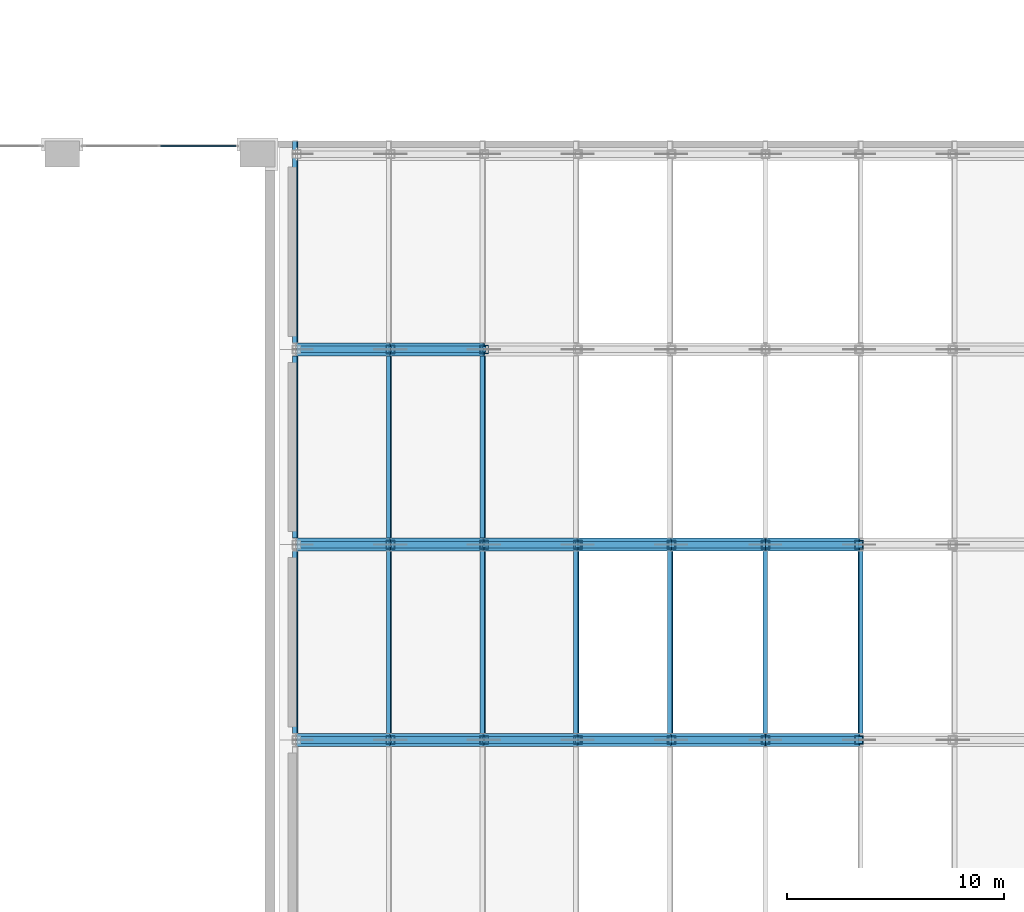
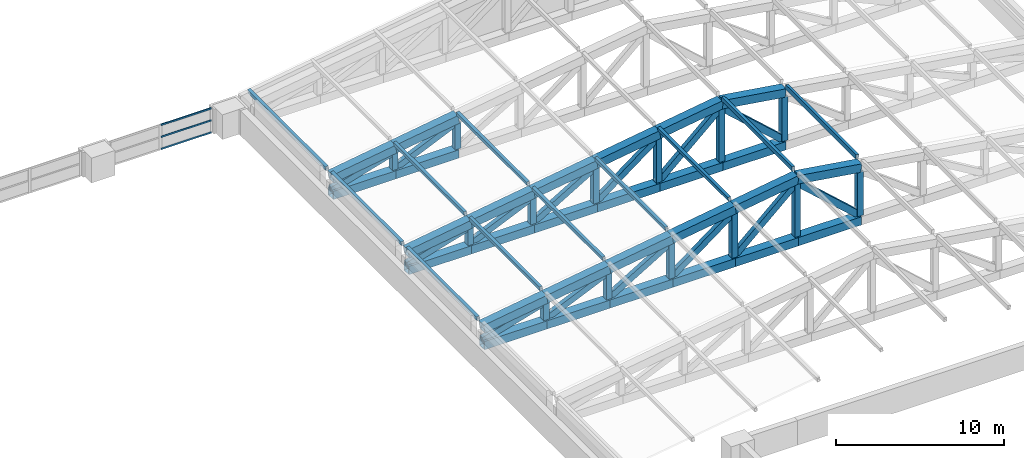
# One storey, part 11 of 32: 70 members, 1 element without a shape of its own.
"""IFC4 building model written with IfcOpenShell, lengths in metres."""

from ifc_helpers import new_model, si_unit, direction, frame, origin, origin_2d, place, context, subcontext, project, spatial, rectangle, hollow_rectangle, extrude, material, material_profile, profile_set, type_object, element, aggregate, save


model = new_model("IFC4")

# Units and contexts
model_context = context("Model", 3, precision=1e-05, world=origin(), true_north=direction((0.0, 1.0)))
body_context = subcontext(model_context, "Body", "Model", "MODEL_VIEW")
ifc_project = project(units=[si_unit("LENGTHUNIT", "METRE"), si_unit("AREAUNIT", "SQUARE_METRE"), si_unit("VOLUMEUNIT", "CUBIC_METRE"), si_unit("PLANEANGLEUNIT", "RADIAN"), si_unit("MASSUNIT", "GRAM", prefix="KILO")], contexts=[model_context])

# Site, building, storey
site_placement = place(None, origin())
site = spatial("IfcSite", under=ifc_project, at=site_placement, CompositionType="ELEMENT")
building_placement = place(site_placement, origin())
building = spatial("IfcBuilding", under=site, at=building_placement, Name="Aravalli Gate Trade Fair Centre", CompositionType="ELEMENT")
storey_placement = place(building_placement, frame((0.0, 0.0, 23.39990234375)))
storey = spatial("IfcBuildingStorey", under=building, at=storey_placement, Name="ROOF LEVEL 1", CompositionType="ELEMENT", Elevation=23.39990234375)

# Members
ifc_material_1 = material(Name="Steel E350", Category="steel")
ifc_material_profile_1 = material_profile(ifc_material_1, hollow_rectangle(XDim=0.199951171875, YDim=0.300048828125, WallThickness=0.011962890625, at=origin_2d()), Name="RHS 300x200x12")
ifc_profile_set_1 = profile_set([ifc_material_profile_1], Name="Steel E350")
member_type_1 = type_object("IfcMemberType", Name="Congress roof purlin RHS 300x200x12", PredefinedType="PURLIN", material=ifc_profile_set_1)
for number, where, z_axis, x_axis, name in (
    (1, (106.73193359375, 82.300048828125, 1.94482421875), (0.0, 1.0, 0.0), (-0.988529762953, 0.0, -0.151026182356), "Roof purlin line 1 bay 3"),
    (2, (106.73193359375, 91.300048828125, 1.94482421875), (0.0, 1.0, 0.0), (-0.988529762953, 0.0, -0.151026182356), "Roof purlin line 1 bay 4"),
):
    element("IfcMember", number, at=place(storey_placement, frame(where, z_axis=z_axis, x_axis=x_axis)), inside=storey, type_object=member_type_1, Name=name, PredefinedType="PURLIN", context=body_context, shape_type="SweptSolid", body=[
        extrude(hollow_rectangle(XDim=0.199951171875, YDim=0.300048828125, WallThickness=0.011962890625, at=origin_2d()), origin(), (0.0, 0.0, 1.0), 8.39990234375),
    ])
member_1_placement = place(storey_placement, frame((106.73193359375, 100.300048828125, 1.94482421875), z_axis=(0.0, 1.0, 0.0), x_axis=(-0.988529762953, 0.0, -0.151026182356)))
element("IfcMember", 3, at=member_1_placement, inside=storey, type_object=member_type_1, Name="Roof purlin line 1 bay 5", PredefinedType="PURLIN", context=body_context, shape_type="SweptSolid", body=[
    extrude(hollow_rectangle(XDim=0.199951171875, YDim=0.300048828125, WallThickness=0.011962890625, at=origin_2d()), origin(), (0.0, 0.0, 1.0), 9.300048828125),
])
for number, where, z_axis, x_axis, name in (
    (4, (111.052001953125, 82.300048828125, 2.60498046875), (0.0, 1.0, 0.0), (-0.988529762953, 0.0, -0.151026182356), "Roof purlin line 2 bay 3"),
    (5, (111.052001953125, 91.300048828125, 2.60498046875), (0.0, 1.0, 0.0), (-0.988529762953, 0.0, -0.151026182356), "Roof purlin line 2 bay 4"),
    (6, (115.3720703125, 82.300048828125, 3.264892578125), (0.0, 1.0, 0.0), (-0.988529762953, 0.0, -0.151026182356), "Roof purlin line 3 bay 3"),
    (7, (115.3720703125, 91.300048828125, 3.264892578125), (0.0, 1.0, 0.0), (-0.988529762953, 0.0, -0.151026182356), "Roof purlin line 3 bay 4"),
    (8, (119.69189453125, 82.300048828125, 3.9248046875), (0.0, 1.0, 0.0), (-0.988529762953, 0.0, -0.151026182356), "Roof purlin line 4 bay 3"),
    (9, (124.011962890625, 82.300048828125, 4.5849609375), (0.0, 1.0, 0.0), (-0.988529762953, 0.0, -0.151026182356), "Roof purlin line 5 bay 3"),
    (10, (128.39990234375, 82.300048828125, 5.25634765625), (0.0, 1.0, 0.0), (-1.0, 0.0, 0.0), "Roof purlin line 6 bay 3"),
    (11, (132.7880859375, 82.300048828125, 4.5849609375), (0.0, 1.0, 0.0), (-0.988529762953, 0.0, 0.151026182356), "Roof purlin line 7 bay 3"),
):
    element("IfcMember", number, at=place(storey_placement, frame(where, z_axis=z_axis, x_axis=x_axis)), inside=storey, type_object=member_type_1, Name=name, PredefinedType="PURLIN", context=body_context, shape_type="SweptSolid", body=[
        extrude(hollow_rectangle(XDim=0.199951171875, YDim=0.300048828125, WallThickness=0.011962890625, at=origin_2d()), origin(), (0.0, 0.0, 1.0), 8.39990234375),
    ])
ifc_material_profile_2 = material_profile(ifc_material_1, hollow_rectangle(XDim=0.60009765625, YDim=0.60009765625, WallThickness=0.02490234375, at=origin_2d()), Name="BOX 600x600x25")
ifc_profile_set_2 = profile_set([ifc_material_profile_2], Name="Steel E350")
member_type_2 = type_object("IfcMemberType", Name="Congress roof truss chord BOX 600x600x25", PredefinedType="CHORD", material=ifc_profile_set_2)
member_2_placement = place(storey_placement, frame((106.800048828125, 82.0, 0.300048828125), z_axis=(1.0, 0.0, 0.0), x_axis=(0.0, 1.0, 0.0)))
element("IfcMember", 12, at=member_2_placement, inside=storey, type_object=member_type_2, Name="Roof truss 82 bottom chord 1", PredefinedType="CHORD", context=body_context, shape_type="SweptSolid", body=[
    extrude(hollow_rectangle(XDim=0.60009765625, YDim=0.60009765625, WallThickness=0.02490234375, at=origin_2d()), origin(), (0.0, 0.0, 1.0), 4.320068359375),
])
member_3_placement = place(storey_placement, frame((106.800048828125, 82.0, 1.5), z_axis=(0.988524901177, 0.0, 0.151058001288), x_axis=(0.0, 1.0, 0.0)))
element("IfcMember", 13, at=member_3_placement, inside=storey, type_object=member_type_2, Name="Roof truss 82 top chord 1", PredefinedType="CHORD", context=body_context, shape_type="SweptSolid", body=[
    extrude(hollow_rectangle(XDim=0.60009765625, YDim=0.60009765625, WallThickness=0.02490234375, at=origin_2d()), origin(), (0.0, 0.0, 1.0), 4.3701171875),
])
member_4_placement = place(storey_placement, frame((111.1201171875, 82.0, 0.300048828125), z_axis=(1.0, 0.0, 0.0), x_axis=(0.0, 1.0, 0.0)))
element("IfcMember", 14, at=member_4_placement, inside=storey, type_object=member_type_2, Name="Roof truss 82 bottom chord 2", PredefinedType="CHORD", context=body_context, shape_type="SweptSolid", body=[
    extrude(hollow_rectangle(XDim=0.60009765625, YDim=0.60009765625, WallThickness=0.02490234375, at=origin_2d()), origin(), (0.0, 0.0, 1.0), 4.31982421875),
])
member_5_placement = place(storey_placement, frame((111.1201171875, 82.0, 2.16015625), z_axis=(0.988531967762, 0.0, 0.151011750246), x_axis=(0.0, 1.0, 0.0)))
element("IfcMember", 15, at=member_5_placement, inside=storey, type_object=member_type_2, Name="Roof truss 82 top chord 2", PredefinedType="CHORD", context=body_context, shape_type="SweptSolid", body=[
    extrude(hollow_rectangle(XDim=0.60009765625, YDim=0.60009765625, WallThickness=0.02490234375, at=origin_2d()), origin(), (0.0, 0.0, 1.0), 4.369873046875),
])
member_6_placement = place(storey_placement, frame((115.43994140625, 82.0, 0.300048828125), z_axis=(1.0, 0.0, 0.0), x_axis=(0.0, 1.0, 0.0)))
element("IfcMember", 16, at=member_6_placement, inside=storey, type_object=member_type_2, Name="Roof truss 82 bottom chord 3", PredefinedType="CHORD", context=body_context, shape_type="SweptSolid", body=[
    extrude(hollow_rectangle(XDim=0.60009765625, YDim=0.60009765625, WallThickness=0.02490234375, at=origin_2d()), origin(), (0.0, 0.0, 1.0), 4.320068359375),
])
member_7_placement = place(storey_placement, frame((115.43994140625, 82.0, 2.820068359375), z_axis=(0.988533241706, 0.0, 0.1510034107), x_axis=(0.0, 1.0, 0.0)))
element("IfcMember", 17, at=member_7_placement, inside=storey, type_object=member_type_2, Name="Roof truss 82 top chord 3", PredefinedType="CHORD", context=body_context, shape_type="SweptSolid", body=[
    extrude(hollow_rectangle(XDim=0.60009765625, YDim=0.60009765625, WallThickness=0.02490234375, at=origin_2d()), origin(), (0.0, 0.0, 1.0), 4.3701171875),
])
member_8_placement = place(storey_placement, frame((119.760009765625, 82.0, 0.300048828125), z_axis=(1.0, 0.0, 0.0), x_axis=(0.0, 1.0, 0.0)))
element("IfcMember", 18, at=member_8_placement, inside=storey, type_object=member_type_2, Name="Roof truss 82 bottom chord 4", PredefinedType="CHORD", context=body_context, shape_type="SweptSolid", body=[
    extrude(hollow_rectangle(XDim=0.60009765625, YDim=0.60009765625, WallThickness=0.02490234375, at=origin_2d()), origin(), (0.0, 0.0, 1.0), 4.320068359375),
])
member_9_placement = place(storey_placement, frame((119.760009765625, 82.0, 3.47998046875), z_axis=(0.988524901177, 0.0, 0.151058001288), x_axis=(0.0, 1.0, 0.0)))
element("IfcMember", 19, at=member_9_placement, inside=storey, type_object=member_type_2, Name="Roof truss 82 top chord 4", PredefinedType="CHORD", context=body_context, shape_type="SweptSolid", body=[
    extrude(hollow_rectangle(XDim=0.60009765625, YDim=0.60009765625, WallThickness=0.02490234375, at=origin_2d()), origin(), (0.0, 0.0, 1.0), 4.3701171875),
])
member_10_placement = place(storey_placement, frame((124.080078125, 82.0, 0.300048828125), z_axis=(1.0, 0.0, 0.0), x_axis=(0.0, 1.0, 0.0)))
element("IfcMember", 20, at=member_10_placement, inside=storey, type_object=member_type_2, Name="Roof truss 82 bottom chord 5", PredefinedType="CHORD", context=body_context, shape_type="SweptSolid", body=[
    extrude(hollow_rectangle(XDim=0.60009765625, YDim=0.60009765625, WallThickness=0.02490234375, at=origin_2d()), origin(), (0.0, 0.0, 1.0), 4.31982421875),
])
member_11_placement = place(storey_placement, frame((124.080078125, 82.0, 4.14013671875), z_axis=(0.988531967762, 0.0, 0.151011750246), x_axis=(0.0, 1.0, 0.0)))
element("IfcMember", 21, at=member_11_placement, inside=storey, type_object=member_type_2, Name="Roof truss 82 top chord 5", PredefinedType="CHORD", context=body_context, shape_type="SweptSolid", body=[
    extrude(hollow_rectangle(XDim=0.60009765625, YDim=0.60009765625, WallThickness=0.02490234375, at=origin_2d()), origin(), (0.0, 0.0, 1.0), 4.369873046875),
])
member_12_placement = place(storey_placement, frame((128.39990234375, 82.0, 0.300048828125), z_axis=(1.0, 0.0, 0.0), x_axis=(0.0, 1.0, 0.0)))
element("IfcMember", 22, at=member_12_placement, inside=storey, type_object=member_type_2, Name="Roof truss 82 bottom chord 6", PredefinedType="CHORD", context=body_context, shape_type="SweptSolid", body=[
    extrude(hollow_rectangle(XDim=0.60009765625, YDim=0.60009765625, WallThickness=0.02490234375, at=origin_2d()), origin(), (0.0, 0.0, 1.0), 4.320068359375),
])
member_13_placement = place(storey_placement, frame((128.39990234375, 82.0, 4.800048828125), z_axis=(0.988533241706, 0.0, -0.1510034107), x_axis=(0.0, 1.0, 0.0)))
element("IfcMember", 23, at=member_13_placement, inside=storey, type_object=member_type_2, Name="Roof truss 82 top chord 6", PredefinedType="CHORD", context=body_context, shape_type="SweptSolid", body=[
    extrude(hollow_rectangle(XDim=0.60009765625, YDim=0.60009765625, WallThickness=0.02490234375, at=origin_2d()), origin(), (0.0, 0.0, 1.0), 4.3701171875),
])
member_14_placement = place(storey_placement, frame((106.800048828125, 91.0, 0.300048828125), z_axis=(1.0, 0.0, 0.0), x_axis=(0.0, 1.0, 0.0)))
element("IfcMember", 24, at=member_14_placement, inside=storey, type_object=member_type_2, Name="Roof truss 91 bottom chord 1", PredefinedType="CHORD", context=body_context, shape_type="SweptSolid", body=[
    extrude(hollow_rectangle(XDim=0.60009765625, YDim=0.60009765625, WallThickness=0.02490234375, at=origin_2d()), origin(), (0.0, 0.0, 1.0), 4.320068359375),
])
member_15_placement = place(storey_placement, frame((106.800048828125, 91.0, 1.5), z_axis=(0.988524901177, 0.0, 0.151058001288), x_axis=(0.0, 1.0, 0.0)))
element("IfcMember", 25, at=member_15_placement, inside=storey, type_object=member_type_2, Name="Roof truss 91 top chord 1", PredefinedType="CHORD", context=body_context, shape_type="SweptSolid", body=[
    extrude(hollow_rectangle(XDim=0.60009765625, YDim=0.60009765625, WallThickness=0.02490234375, at=origin_2d()), origin(), (0.0, 0.0, 1.0), 4.3701171875),
])
member_16_placement = place(storey_placement, frame((111.1201171875, 91.0, 0.300048828125), z_axis=(1.0, 0.0, 0.0), x_axis=(0.0, 1.0, 0.0)))
element("IfcMember", 26, at=member_16_placement, inside=storey, type_object=member_type_2, Name="Roof truss 91 bottom chord 2", PredefinedType="CHORD", context=body_context, shape_type="SweptSolid", body=[
    extrude(hollow_rectangle(XDim=0.60009765625, YDim=0.60009765625, WallThickness=0.02490234375, at=origin_2d()), origin(), (0.0, 0.0, 1.0), 4.31982421875),
])
member_17_placement = place(storey_placement, frame((111.1201171875, 91.0, 2.16015625), z_axis=(0.988531967762, 0.0, 0.151011750246), x_axis=(0.0, 1.0, 0.0)))
element("IfcMember", 27, at=member_17_placement, inside=storey, type_object=member_type_2, Name="Roof truss 91 top chord 2", PredefinedType="CHORD", context=body_context, shape_type="SweptSolid", body=[
    extrude(hollow_rectangle(XDim=0.60009765625, YDim=0.60009765625, WallThickness=0.02490234375, at=origin_2d()), origin(), (0.0, 0.0, 1.0), 4.369873046875),
])
member_18_placement = place(storey_placement, frame((115.43994140625, 91.0, 0.300048828125), z_axis=(1.0, 0.0, 0.0), x_axis=(0.0, 1.0, 0.0)))
element("IfcMember", 28, at=member_18_placement, inside=storey, type_object=member_type_2, Name="Roof truss 91 bottom chord 3", PredefinedType="CHORD", context=body_context, shape_type="SweptSolid", body=[
    extrude(hollow_rectangle(XDim=0.60009765625, YDim=0.60009765625, WallThickness=0.02490234375, at=origin_2d()), origin(), (0.0, 0.0, 1.0), 4.320068359375),
])
member_19_placement = place(storey_placement, frame((115.43994140625, 91.0, 2.820068359375), z_axis=(0.988533241706, 0.0, 0.1510034107), x_axis=(0.0, 1.0, 0.0)))
element("IfcMember", 29, at=member_19_placement, inside=storey, type_object=member_type_2, Name="Roof truss 91 top chord 3", PredefinedType="CHORD", context=body_context, shape_type="SweptSolid", body=[
    extrude(hollow_rectangle(XDim=0.60009765625, YDim=0.60009765625, WallThickness=0.02490234375, at=origin_2d()), origin(), (0.0, 0.0, 1.0), 4.3701171875),
])
member_20_placement = place(storey_placement, frame((119.760009765625, 91.0, 0.300048828125), z_axis=(1.0, 0.0, 0.0), x_axis=(0.0, 1.0, 0.0)))
element("IfcMember", 30, at=member_20_placement, inside=storey, type_object=member_type_2, Name="Roof truss 91 bottom chord 4", PredefinedType="CHORD", context=body_context, shape_type="SweptSolid", body=[
    extrude(hollow_rectangle(XDim=0.60009765625, YDim=0.60009765625, WallThickness=0.02490234375, at=origin_2d()), origin(), (0.0, 0.0, 1.0), 4.320068359375),
])
member_21_placement = place(storey_placement, frame((119.760009765625, 91.0, 3.47998046875), z_axis=(0.988524901177, 0.0, 0.151058001288), x_axis=(0.0, 1.0, 0.0)))
element("IfcMember", 31, at=member_21_placement, inside=storey, type_object=member_type_2, Name="Roof truss 91 top chord 4", PredefinedType="CHORD", context=body_context, shape_type="SweptSolid", body=[
    extrude(hollow_rectangle(XDim=0.60009765625, YDim=0.60009765625, WallThickness=0.02490234375, at=origin_2d()), origin(), (0.0, 0.0, 1.0), 4.3701171875),
])
member_22_placement = place(storey_placement, frame((124.080078125, 91.0, 0.300048828125), z_axis=(1.0, 0.0, 0.0), x_axis=(0.0, 1.0, 0.0)))
element("IfcMember", 32, at=member_22_placement, inside=storey, type_object=member_type_2, Name="Roof truss 91 bottom chord 5", PredefinedType="CHORD", context=body_context, shape_type="SweptSolid", body=[
    extrude(hollow_rectangle(XDim=0.60009765625, YDim=0.60009765625, WallThickness=0.02490234375, at=origin_2d()), origin(), (0.0, 0.0, 1.0), 4.31982421875),
])
member_23_placement = place(storey_placement, frame((124.080078125, 91.0, 4.14013671875), z_axis=(0.988531967762, 0.0, 0.151011750246), x_axis=(0.0, 1.0, 0.0)))
element("IfcMember", 33, at=member_23_placement, inside=storey, type_object=member_type_2, Name="Roof truss 91 top chord 5", PredefinedType="CHORD", context=body_context, shape_type="SweptSolid", body=[
    extrude(hollow_rectangle(XDim=0.60009765625, YDim=0.60009765625, WallThickness=0.02490234375, at=origin_2d()), origin(), (0.0, 0.0, 1.0), 4.369873046875),
])
member_24_placement = place(storey_placement, frame((128.39990234375, 91.0, 0.300048828125), z_axis=(1.0, 0.0, 0.0), x_axis=(0.0, 1.0, 0.0)))
element("IfcMember", 34, at=member_24_placement, inside=storey, type_object=member_type_2, Name="Roof truss 91 bottom chord 6", PredefinedType="CHORD", context=body_context, shape_type="SweptSolid", body=[
    extrude(hollow_rectangle(XDim=0.60009765625, YDim=0.60009765625, WallThickness=0.02490234375, at=origin_2d()), origin(), (0.0, 0.0, 1.0), 4.320068359375),
])
member_25_placement = place(storey_placement, frame((128.39990234375, 91.0, 4.800048828125), z_axis=(0.988533241706, 0.0, -0.1510034107), x_axis=(0.0, 1.0, 0.0)))
element("IfcMember", 35, at=member_25_placement, inside=storey, type_object=member_type_2, Name="Roof truss 91 top chord 6", PredefinedType="CHORD", context=body_context, shape_type="SweptSolid", body=[
    extrude(hollow_rectangle(XDim=0.60009765625, YDim=0.60009765625, WallThickness=0.02490234375, at=origin_2d()), origin(), (0.0, 0.0, 1.0), 4.3701171875),
])
member_26_placement = place(storey_placement, frame((106.800048828125, 100.0, 0.300048828125), z_axis=(1.0, 0.0, 0.0), x_axis=(0.0, 1.0, 0.0)))
element("IfcMember", 36, at=member_26_placement, inside=storey, type_object=member_type_2, Name="Roof truss 100 bottom chord 1", PredefinedType="CHORD", context=body_context, shape_type="SweptSolid", body=[
    extrude(hollow_rectangle(XDim=0.60009765625, YDim=0.60009765625, WallThickness=0.02490234375, at=origin_2d()), origin(), (0.0, 0.0, 1.0), 4.320068359375),
])
member_27_placement = place(storey_placement, frame((106.800048828125, 100.0, 1.5), z_axis=(0.988524901177, 0.0, 0.151058001288), x_axis=(0.0, 1.0, 0.0)))
element("IfcMember", 37, at=member_27_placement, inside=storey, type_object=member_type_2, Name="Roof truss 100 top chord 1", PredefinedType="CHORD", context=body_context, shape_type="SweptSolid", body=[
    extrude(hollow_rectangle(XDim=0.60009765625, YDim=0.60009765625, WallThickness=0.02490234375, at=origin_2d()), origin(), (0.0, 0.0, 1.0), 4.3701171875),
])
member_28_placement = place(storey_placement, frame((111.1201171875, 100.0, 0.300048828125), z_axis=(1.0, 0.0, 0.0), x_axis=(0.0, 1.0, 0.0)))
element("IfcMember", 38, at=member_28_placement, inside=storey, type_object=member_type_2, Name="Roof truss 100 bottom chord 2", PredefinedType="CHORD", context=body_context, shape_type="SweptSolid", body=[
    extrude(hollow_rectangle(XDim=0.60009765625, YDim=0.60009765625, WallThickness=0.02490234375, at=origin_2d()), origin(), (0.0, 0.0, 1.0), 4.31982421875),
])
member_29_placement = place(storey_placement, frame((111.1201171875, 100.0, 2.16015625), z_axis=(0.988531967762, 0.0, 0.151011750246), x_axis=(0.0, 1.0, 0.0)))
element("IfcMember", 39, at=member_29_placement, inside=storey, type_object=member_type_2, Name="Roof truss 100 top chord 2", PredefinedType="CHORD", context=body_context, shape_type="SweptSolid", body=[
    extrude(hollow_rectangle(XDim=0.60009765625, YDim=0.60009765625, WallThickness=0.02490234375, at=origin_2d()), origin(), (0.0, 0.0, 1.0), 4.369873046875),
])
ifc_material_profile_3 = material_profile(ifc_material_1, hollow_rectangle(XDim=0.300048828125, YDim=0.449951171875, WallThickness=0.02001953125, at=origin_2d()), Name="RHS 450x300x20")
ifc_profile_set_3 = profile_set([ifc_material_profile_3], Name="Steel E350")
member_type_3 = type_object("IfcMemberType", Name="Congress roof truss diagonal RHS 450x300x20", PredefinedType="BRACE", material=ifc_profile_set_3)
member_30_placement = place(storey_placement, frame((106.800048828125, 82.0, 0.60009765625), z_axis=(0.960204557867, 0.0, 0.279297703269), x_axis=(0.0, 1.0, 0.0)))
element("IfcMember", 40, at=member_30_placement, inside=storey, type_object=member_type_3, Name="Roof truss 82 diagonal 1", PredefinedType="BRACE", context=body_context, shape_type="SweptSolid", body=[
    extrude(hollow_rectangle(XDim=0.300048828125, YDim=0.449951171875, WallThickness=0.02001953125, at=origin_2d()), origin(), (0.0, 0.0, 1.0), 4.4990234375),
])
member_31_placement = place(storey_placement, frame((111.1201171875, 82.0, 0.60009765625), z_axis=(0.914079770282, 0.0, 0.405534429564), x_axis=(0.0, 1.0, 0.0)))
element("IfcMember", 41, at=member_31_placement, inside=storey, type_object=member_type_3, Name="Roof truss 82 diagonal 2", PredefinedType="BRACE", context=body_context, shape_type="SweptSolid", body=[
    extrude(hollow_rectangle(XDim=0.300048828125, YDim=0.449951171875, WallThickness=0.02001953125, at=origin_2d()), origin(), (0.0, 0.0, 1.0), 4.725830078125),
])
member_32_placement = place(storey_placement, frame((115.43994140625, 82.0, 0.60009765625), z_axis=(0.858860337137, 0.0, 0.512209841074), x_axis=(0.0, 1.0, 0.0)))
element("IfcMember", 42, at=member_32_placement, inside=storey, type_object=member_type_3, Name="Roof truss 82 diagonal 3", PredefinedType="BRACE", context=body_context, shape_type="SweptSolid", body=[
    extrude(hollow_rectangle(XDim=0.300048828125, YDim=0.449951171875, WallThickness=0.02001953125, at=origin_2d()), origin(), (0.0, 0.0, 1.0), 5.030029296875),
])
member_33_placement = place(storey_placement, frame((119.760009765625, 82.0, 0.60009765625), z_axis=(0.800309253103, 0.0, 0.599587440994), x_axis=(0.0, 1.0, 0.0)))
element("IfcMember", 43, at=member_33_placement, inside=storey, type_object=member_type_3, Name="Roof truss 82 diagonal 4", PredefinedType="BRACE", context=body_context, shape_type="SweptSolid", body=[
    extrude(hollow_rectangle(XDim=0.300048828125, YDim=0.449951171875, WallThickness=0.02001953125, at=origin_2d()), origin(), (0.0, 0.0, 1.0), 5.39794921875),
])
for number, where, z_axis, x_axis, name in (
    (44, (124.080078125, 82.0, 0.60009765625), (0.74255499019, 0.0, 0.669785104749), (0.0, 1.0, 0.0), "Roof truss 82 diagonal 5"),
    (45, (132.719970703125, 82.0, 0.60009765625), (-0.742573815983, 0.0, 0.669764233008), (0.0, -1.0, 0.0), "Roof truss 82 diagonal 6"),
):
    element("IfcMember", number, at=place(storey_placement, frame(where, z_axis=z_axis, x_axis=x_axis)), inside=storey, type_object=member_type_3, Name=name, PredefinedType="BRACE", context=body_context, shape_type="SweptSolid", body=[
        extrude(hollow_rectangle(XDim=0.300048828125, YDim=0.449951171875, WallThickness=0.02001953125, at=origin_2d()), origin(), (0.0, 0.0, 1.0), 5.817626953125),
    ])
member_34_placement = place(storey_placement, frame((106.800048828125, 91.0, 0.60009765625), z_axis=(0.960204557867, 0.0, 0.279297703269), x_axis=(0.0, 1.0, 0.0)))
element("IfcMember", 46, at=member_34_placement, inside=storey, type_object=member_type_3, Name="Roof truss 91 diagonal 1", PredefinedType="BRACE", context=body_context, shape_type="SweptSolid", body=[
    extrude(hollow_rectangle(XDim=0.300048828125, YDim=0.449951171875, WallThickness=0.02001953125, at=origin_2d()), origin(), (0.0, 0.0, 1.0), 4.4990234375),
])
member_35_placement = place(storey_placement, frame((111.1201171875, 91.0, 0.60009765625), z_axis=(0.914079770282, 0.0, 0.405534429564), x_axis=(0.0, 1.0, 0.0)))
element("IfcMember", 47, at=member_35_placement, inside=storey, type_object=member_type_3, Name="Roof truss 91 diagonal 2", PredefinedType="BRACE", context=body_context, shape_type="SweptSolid", body=[
    extrude(hollow_rectangle(XDim=0.300048828125, YDim=0.449951171875, WallThickness=0.02001953125, at=origin_2d()), origin(), (0.0, 0.0, 1.0), 4.725830078125),
])
member_36_placement = place(storey_placement, frame((115.43994140625, 91.0, 0.60009765625), z_axis=(0.858860337137, 0.0, 0.512209841074), x_axis=(0.0, 1.0, 0.0)))
element("IfcMember", 48, at=member_36_placement, inside=storey, type_object=member_type_3, Name="Roof truss 91 diagonal 3", PredefinedType="BRACE", context=body_context, shape_type="SweptSolid", body=[
    extrude(hollow_rectangle(XDim=0.300048828125, YDim=0.449951171875, WallThickness=0.02001953125, at=origin_2d()), origin(), (0.0, 0.0, 1.0), 5.030029296875),
])
member_37_placement = place(storey_placement, frame((119.760009765625, 91.0, 0.60009765625), z_axis=(0.800309253103, 0.0, 0.599587440994), x_axis=(0.0, 1.0, 0.0)))
element("IfcMember", 49, at=member_37_placement, inside=storey, type_object=member_type_3, Name="Roof truss 91 diagonal 4", PredefinedType="BRACE", context=body_context, shape_type="SweptSolid", body=[
    extrude(hollow_rectangle(XDim=0.300048828125, YDim=0.449951171875, WallThickness=0.02001953125, at=origin_2d()), origin(), (0.0, 0.0, 1.0), 5.39794921875),
])
for number, where, z_axis, x_axis, name in (
    (50, (124.080078125, 91.0, 0.60009765625), (0.74255499019, 0.0, 0.669785104749), (0.0, 1.0, 0.0), "Roof truss 91 diagonal 5"),
    (51, (132.719970703125, 91.0, 0.60009765625), (-0.742573815983, 0.0, 0.669764233008), (0.0, -1.0, 0.0), "Roof truss 91 diagonal 6"),
):
    element("IfcMember", number, at=place(storey_placement, frame(where, z_axis=z_axis, x_axis=x_axis)), inside=storey, type_object=member_type_3, Name=name, PredefinedType="BRACE", context=body_context, shape_type="SweptSolid", body=[
        extrude(hollow_rectangle(XDim=0.300048828125, YDim=0.449951171875, WallThickness=0.02001953125, at=origin_2d()), origin(), (0.0, 0.0, 1.0), 5.817626953125),
    ])
member_38_placement = place(storey_placement, frame((106.800048828125, 100.0, 0.60009765625), z_axis=(0.960204557867, 0.0, 0.279297703269), x_axis=(0.0, 1.0, 0.0)))
element("IfcMember", 52, at=member_38_placement, inside=storey, type_object=member_type_3, Name="Roof truss 100 diagonal 1", PredefinedType="BRACE", context=body_context, shape_type="SweptSolid", body=[
    extrude(hollow_rectangle(XDim=0.300048828125, YDim=0.449951171875, WallThickness=0.02001953125, at=origin_2d()), origin(), (0.0, 0.0, 1.0), 4.4990234375),
])
member_39_placement = place(storey_placement, frame((111.1201171875, 100.0, 0.60009765625), z_axis=(0.914079770282, 0.0, 0.405534429564), x_axis=(0.0, 1.0, 0.0)))
element("IfcMember", 53, at=member_39_placement, inside=storey, type_object=member_type_3, Name="Roof truss 100 diagonal 2", PredefinedType="BRACE", context=body_context, shape_type="SweptSolid", body=[
    extrude(hollow_rectangle(XDim=0.300048828125, YDim=0.449951171875, WallThickness=0.02001953125, at=origin_2d()), origin(), (0.0, 0.0, 1.0), 4.725830078125),
])
ifc_material_profile_4 = material_profile(ifc_material_1, hollow_rectangle(XDim=0.39990234375, YDim=0.39990234375, WallThickness=0.02001953125, at=origin_2d()), Name="BOX 400x400x20")
ifc_profile_set_4 = profile_set([ifc_material_profile_4], Name="Steel E350")
member_type_4 = type_object("IfcMemberType", Name="Congress roof truss post BOX 400x400x20", PredefinedType="POST", material=ifc_profile_set_4)
member_40_placement = place(storey_placement, frame((111.1201171875, 82.0, 0.60009765625), z_axis=(0.0, 0.0, 1.0), x_axis=(1.0, 0.0, 0.0)))
element("IfcMember", 54, at=member_40_placement, inside=storey, type_object=member_type_4, Name="Roof truss 82 post 1", PredefinedType="POST", context=body_context, shape_type="SweptSolid", body=[
    extrude(hollow_rectangle(XDim=0.39990234375, YDim=0.39990234375, WallThickness=0.02001953125, at=origin_2d()), origin(), (0.0, 0.0, 1.0), 1.256591796875),
])
member_41_placement = place(storey_placement, frame((115.43994140625, 82.0, 0.60009765625), z_axis=(0.0, 0.0, 1.0), x_axis=(1.0, 0.0, 0.0)))
element("IfcMember", 55, at=member_41_placement, inside=storey, type_object=member_type_4, Name="Roof truss 82 post 2", PredefinedType="POST", context=body_context, shape_type="SweptSolid", body=[
    extrude(hollow_rectangle(XDim=0.39990234375, YDim=0.39990234375, WallThickness=0.02001953125, at=origin_2d()), origin(), (0.0, 0.0, 1.0), 1.91650390625),
])
member_42_placement = place(storey_placement, frame((119.760009765625, 82.0, 0.60009765625), z_axis=(0.0, 0.0, 1.0), x_axis=(1.0, 0.0, 0.0)))
element("IfcMember", 56, at=member_42_placement, inside=storey, type_object=member_type_4, Name="Roof truss 82 post 3", PredefinedType="POST", context=body_context, shape_type="SweptSolid", body=[
    extrude(hollow_rectangle(XDim=0.39990234375, YDim=0.39990234375, WallThickness=0.02001953125, at=origin_2d()), origin(), (0.0, 0.0, 1.0), 2.576416015625),
])
member_43_placement = place(storey_placement, frame((124.080078125, 82.0, 0.60009765625), z_axis=(0.0, 0.0, 1.0), x_axis=(1.0, 0.0, 0.0)))
element("IfcMember", 57, at=member_43_placement, inside=storey, type_object=member_type_4, Name="Roof truss 82 post 4", PredefinedType="POST", context=body_context, shape_type="SweptSolid", body=[
    extrude(hollow_rectangle(XDim=0.39990234375, YDim=0.39990234375, WallThickness=0.02001953125, at=origin_2d()), origin(), (0.0, 0.0, 1.0), 3.236572265625),
])
member_44_placement = place(storey_placement, frame((128.39990234375, 82.0, 0.60009765625), z_axis=(0.0, 0.0, 1.0), x_axis=(1.0, 0.0, 0.0)))
element("IfcMember", 58, at=member_44_placement, inside=storey, type_object=member_type_4, Name="Roof truss 82 post 5", PredefinedType="POST", context=body_context, shape_type="SweptSolid", body=[
    extrude(hollow_rectangle(XDim=0.39990234375, YDim=0.39990234375, WallThickness=0.02001953125, at=origin_2d()), origin(), (0.0, 0.0, 1.0), 3.896484375),
])
member_45_placement = place(storey_placement, frame((132.719970703125, 82.0, 0.60009765625), z_axis=(0.0, 0.0, 1.0), x_axis=(1.0, 0.0, 0.0)))
element("IfcMember", 59, at=member_45_placement, inside=storey, type_object=member_type_4, Name="Roof truss 82 post 6", PredefinedType="POST", context=body_context, shape_type="SweptSolid", body=[
    extrude(hollow_rectangle(XDim=0.39990234375, YDim=0.39990234375, WallThickness=0.02001953125, at=origin_2d()), origin(), (0.0, 0.0, 1.0), 3.236572265625),
])
member_46_placement = place(storey_placement, frame((111.1201171875, 91.0, 0.60009765625), z_axis=(0.0, 0.0, 1.0), x_axis=(1.0, 0.0, 0.0)))
element("IfcMember", 60, at=member_46_placement, inside=storey, type_object=member_type_4, Name="Roof truss 91 post 1", PredefinedType="POST", context=body_context, shape_type="SweptSolid", body=[
    extrude(hollow_rectangle(XDim=0.39990234375, YDim=0.39990234375, WallThickness=0.02001953125, at=origin_2d()), origin(), (0.0, 0.0, 1.0), 1.256591796875),
])
member_47_placement = place(storey_placement, frame((115.43994140625, 91.0, 0.60009765625), z_axis=(0.0, 0.0, 1.0), x_axis=(1.0, 0.0, 0.0)))
element("IfcMember", 61, at=member_47_placement, inside=storey, type_object=member_type_4, Name="Roof truss 91 post 2", PredefinedType="POST", context=body_context, shape_type="SweptSolid", body=[
    extrude(hollow_rectangle(XDim=0.39990234375, YDim=0.39990234375, WallThickness=0.02001953125, at=origin_2d()), origin(), (0.0, 0.0, 1.0), 1.91650390625),
])
member_48_placement = place(storey_placement, frame((119.760009765625, 91.0, 0.60009765625), z_axis=(0.0, 0.0, 1.0), x_axis=(1.0, 0.0, 0.0)))
element("IfcMember", 62, at=member_48_placement, inside=storey, type_object=member_type_4, Name="Roof truss 91 post 3", PredefinedType="POST", context=body_context, shape_type="SweptSolid", body=[
    extrude(hollow_rectangle(XDim=0.39990234375, YDim=0.39990234375, WallThickness=0.02001953125, at=origin_2d()), origin(), (0.0, 0.0, 1.0), 2.576416015625),
])
member_49_placement = place(storey_placement, frame((124.080078125, 91.0, 0.60009765625), z_axis=(0.0, 0.0, 1.0), x_axis=(1.0, 0.0, 0.0)))
element("IfcMember", 63, at=member_49_placement, inside=storey, type_object=member_type_4, Name="Roof truss 91 post 4", PredefinedType="POST", context=body_context, shape_type="SweptSolid", body=[
    extrude(hollow_rectangle(XDim=0.39990234375, YDim=0.39990234375, WallThickness=0.02001953125, at=origin_2d()), origin(), (0.0, 0.0, 1.0), 3.236572265625),
])
member_50_placement = place(storey_placement, frame((128.39990234375, 91.0, 0.60009765625), z_axis=(0.0, 0.0, 1.0), x_axis=(1.0, 0.0, 0.0)))
element("IfcMember", 64, at=member_50_placement, inside=storey, type_object=member_type_4, Name="Roof truss 91 post 5", PredefinedType="POST", context=body_context, shape_type="SweptSolid", body=[
    extrude(hollow_rectangle(XDim=0.39990234375, YDim=0.39990234375, WallThickness=0.02001953125, at=origin_2d()), origin(), (0.0, 0.0, 1.0), 3.896484375),
])
member_51_placement = place(storey_placement, frame((132.719970703125, 91.0, 0.60009765625), z_axis=(0.0, 0.0, 1.0), x_axis=(1.0, 0.0, 0.0)))
element("IfcMember", 65, at=member_51_placement, inside=storey, type_object=member_type_4, Name="Roof truss 91 post 6", PredefinedType="POST", context=body_context, shape_type="SweptSolid", body=[
    extrude(hollow_rectangle(XDim=0.39990234375, YDim=0.39990234375, WallThickness=0.02001953125, at=origin_2d()), origin(), (0.0, 0.0, 1.0), 3.236572265625),
])
member_52_placement = place(storey_placement, frame((111.1201171875, 100.0, 0.60009765625), z_axis=(0.0, 0.0, 1.0), x_axis=(1.0, 0.0, 0.0)))
element("IfcMember", 66, at=member_52_placement, inside=storey, type_object=member_type_4, Name="Roof truss 100 post 1", PredefinedType="POST", context=body_context, shape_type="SweptSolid", body=[
    extrude(hollow_rectangle(XDim=0.39990234375, YDim=0.39990234375, WallThickness=0.02001953125, at=origin_2d()), origin(), (0.0, 0.0, 1.0), 1.256591796875),
])
member_53_placement = place(storey_placement, frame((115.43994140625, 100.0, 0.60009765625), z_axis=(0.0, 0.0, 1.0), x_axis=(1.0, 0.0, 0.0)))
element("IfcMember", 67, at=member_53_placement, inside=storey, type_object=member_type_4, Name="Roof truss 100 post 2", PredefinedType="POST", context=body_context, shape_type="SweptSolid", body=[
    extrude(hollow_rectangle(XDim=0.39990234375, YDim=0.39990234375, WallThickness=0.02001953125, at=origin_2d()), origin(), (0.0, 0.0, 1.0), 1.91650390625),
])

# Curtain wall, members
ifc_material_2 = material(Name="Aluminium, glass and louvre", Category="aluminium")
curtain_wall_type = type_object("IfcCurtainWallType", Name="Hall crown curtain wall 3000 module", PredefinedType="NOTDEFINED", material=ifc_material_2)
curtain_wall_placement = place(storey_placement, origin())
curtain_wall = element("IfcCurtainWall", 68, at=curtain_wall_placement, inside=storey, type_object=curtain_wall_type, Name="Hall north crown curtain wall bay 11 ROOF LEVEL 1", PredefinedType="NOTDEFINED")
ifc_material_3 = material(Name="Aluminium", Category="aluminium")
ifc_material_profile_5 = material_profile(ifc_material_3, rectangle(XDim=0.06005859375, YDim=0.1201171875, at=origin_2d()), Name="Hall curtain wall transom 60 x 120")
ifc_profile_set_5 = profile_set([ifc_material_profile_5], Name="Aluminium")
member_type_5 = type_object("IfcMemberType", Name="Hall curtain wall transom 60 x 120", PredefinedType="USERDEFINED", material=ifc_profile_set_5)
member_54_placement = place(storey_placement, frame((100.530029296875, 109.375, 0.030029296875), z_axis=(1.0, 0.0, 0.0), x_axis=(0.0, 1.0, 0.0)))
member_54 = element("IfcMember", 69, at=member_54_placement, type_object=member_type_5, Name="HCW1 transom 2.1", ObjectType="TRANSOM", PredefinedType="USERDEFINED", context=body_context, shape_type="SweptSolid", body=[
    extrude(rectangle(XDim=0.06005859375, YDim=0.1201171875, at=origin_2d()), origin(), (0.0, 0.0, 1.0), 3.4599609375),
])
member_55_placement = place(storey_placement, frame((100.530029296875, 109.375, 0.900146484375), z_axis=(1.0, 0.0, 0.0), x_axis=(0.0, 1.0, 0.0)))
member_55 = element("IfcMember", 70, at=member_55_placement, type_object=member_type_5, Name="HCW1 transom 2.2", ObjectType="TRANSOM", PredefinedType="USERDEFINED", context=body_context, shape_type="SweptSolid", body=[
    extrude(rectangle(XDim=0.06005859375, YDim=0.1201171875, at=origin_2d()), origin(), (0.0, 0.0, 1.0), 3.4599609375),
])
member_56_placement = place(storey_placement, frame((100.530029296875, 109.375, 1.77001953125), z_axis=(1.0, 0.0, 0.0), x_axis=(0.0, 1.0, 0.0)))
member_56 = element("IfcMember", 71, at=member_56_placement, type_object=member_type_5, Name="HCW1 transom 2.3", ObjectType="TRANSOM", PredefinedType="USERDEFINED", context=body_context, shape_type="SweptSolid", body=[
    extrude(rectangle(XDim=0.06005859375, YDim=0.1201171875, at=origin_2d()), origin(), (0.0, 0.0, 1.0), 3.4599609375),
])
aggregate(curtain_wall, [member_54, member_55, member_56])

save(model, "model.ifc")
